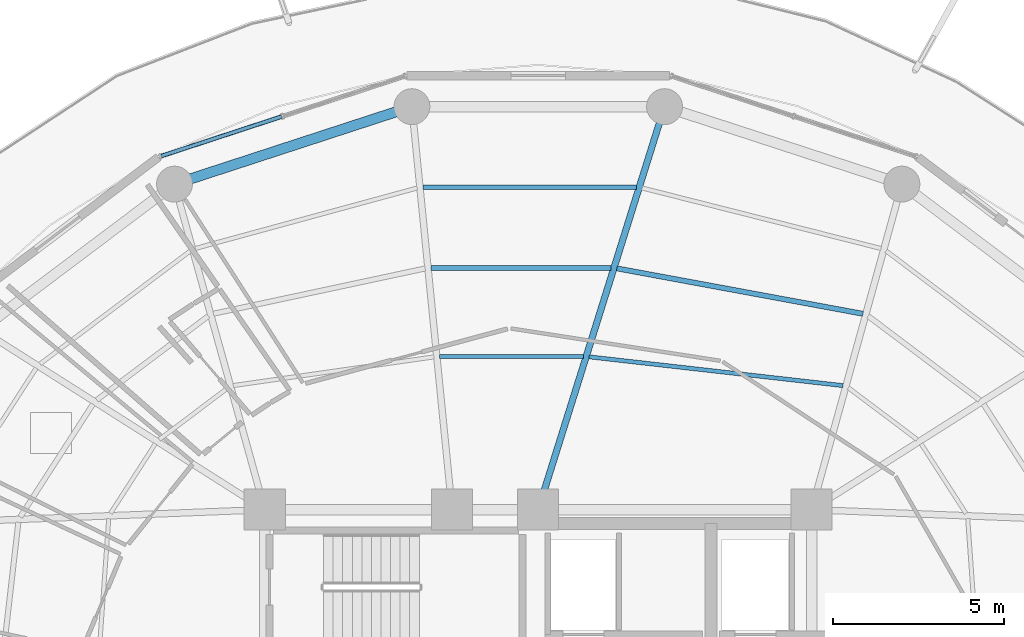
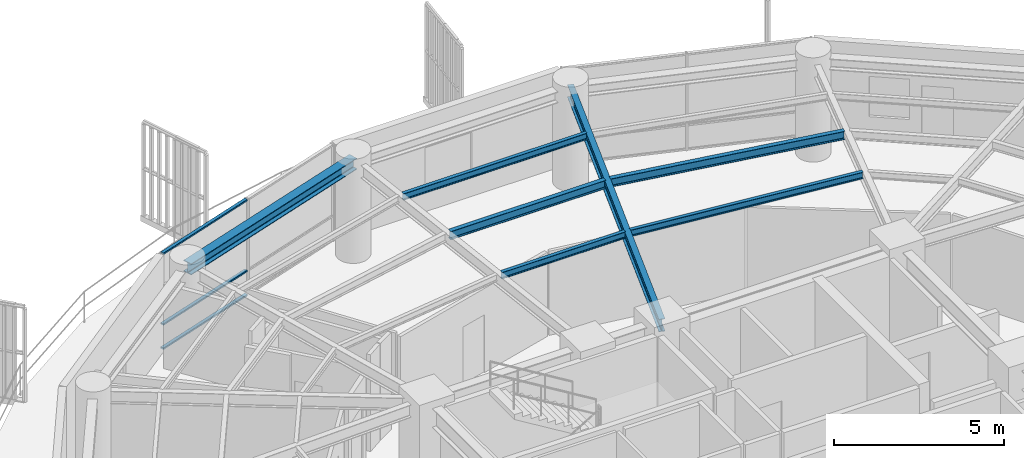
# One storey, part 19 of 31: 7 beams, 3 members, 1 element without a shape of its own.
"""IFC4 building model written with IfcOpenShell, lengths in metres."""

from ifc_helpers import new_model, si_unit, direction, frame, origin, origin_2d, place, context, subcontext, project, spatial, hollow_rectangle, i_section, extrude, material, layer, layer_set, material_profile, profile_set, type_object, element, aggregate, save


model = new_model("IFC4")

# Units and contexts
model_context = context("Model", 3, precision=1e-05, world=origin(), true_north=direction((0.0, 1.0)))
body_context = subcontext(model_context, "Body", "Model", "MODEL_VIEW")
ifc_project = project(units=[si_unit("LENGTHUNIT", "METRE"), si_unit("AREAUNIT", "SQUARE_METRE"), si_unit("VOLUMEUNIT", "CUBIC_METRE"), si_unit("PLANEANGLEUNIT", "RADIAN"), si_unit("MASSUNIT", "GRAM", prefix="KILO")], contexts=[model_context])

# Site, building, storey
site_placement = place(None, origin())
site = spatial("IfcSite", under=ifc_project, at=site_placement, CompositionType="ELEMENT")
building_placement = place(site_placement, origin())
building = spatial("IfcBuilding", under=site, at=building_placement, Name="Kelanora Arch Commons", CompositionType="ELEMENT")
storey_placement = place(building_placement, frame((0.0, 0.0, 200.699951171875)))
storey = spatial("IfcBuildingStorey", under=building, at=storey_placement, Name="L51", CompositionType="ELEMENT", Elevation=200.699951171875)

# Beams
ifc_material_1 = material(Name="Steel S355", Category="steel")
ifc_material_profile_1 = material_profile(ifc_material_1, i_section(OverallWidth=0.14990234375, OverallDepth=0.300048828125, WebThickness=0.007080078125, FlangeThickness=0.0107421875, FilletRadius=0.014892578125, at=origin_2d()), Name="IPE300")
ifc_profile_set_1 = profile_set([ifc_material_profile_1], Name="Steel S355")
beam_type_1 = type_object("IfcBeamType", Name="BM-JST-01", PredefinedType="JOIST", material=ifc_profile_set_1)
beam_1_placement = place(storey_placement, frame((83.50048828125, 70.729736328125, 3.340087890625), z_axis=(-0.983389964671, 0.181505309519, 0.0), x_axis=(-0.181505309519, -0.983389964671, 0.0)))
element("IfcBeam", 1, at=beam_1_placement, inside=storey, type_object=beam_type_1, Name="Secondary Chord Joist BJB-06 L51", PredefinedType="JOIST", context=body_context, shape_type="SweptSolid", body=[
    extrude(i_section(OverallWidth=0.14990234375, OverallDepth=0.300048828125, WebThickness=0.007080078125, FlangeThickness=0.0107421875, FilletRadius=0.014892578125, at=origin_2d()), origin(), (0.0, 0.0, 1.0), 7.3212890625),
])
beam_2_placement = place(storey_placement, frame((76.132080078125, 72.07421875, 3.340087890625), z_axis=(-1.0, 0.0, 0.0), x_axis=(0.0, -1.0, 0.0)))
element("IfcBeam", 2, at=beam_2_placement, inside=storey, type_object=beam_type_1, Name="Secondary Chord Joist BJB-08 L51", PredefinedType="JOIST", context=body_context, shape_type="SweptSolid", body=[
    extrude(i_section(OverallWidth=0.14990234375, OverallDepth=0.300048828125, WebThickness=0.007080078125, FlangeThickness=0.0107421875, FilletRadius=0.014892578125, at=origin_2d()), origin(), (0.0, 0.0, 1.0), 5.272216796875),
])
ifc_material_profile_2 = material_profile(ifc_material_1, i_section(OverallWidth=0.1201171875, OverallDepth=0.239990234375, WebThickness=0.006103515625, FlangeThickness=0.009765625, FilletRadius=0.014892578125, at=origin_2d()), Name="IPE240")
ifc_profile_set_2 = profile_set([ifc_material_profile_2], Name="Steel S355")
beam_type_2 = type_object("IfcBeamType", Name="BM-JST-02", PredefinedType="JOIST", material=ifc_profile_set_2)
beam_3_placement = place(storey_placement, frame((82.918701171875, 68.628662109375, 3.3701171875), z_axis=(-0.993639672263, 0.11260640171, 0.0), x_axis=(-0.11260640171, -0.993639672263, 0.0)))
element("IfcBeam", 3, at=beam_3_placement, inside=storey, type_object=beam_type_2, Name="Secondary Chord Joist BJA-06 L51", PredefinedType="JOIST", context=body_context, shape_type="SweptSolid", body=[
    extrude(i_section(OverallWidth=0.1201171875, OverallDepth=0.239990234375, WebThickness=0.006103515625, FlangeThickness=0.009765625, FilletRadius=0.014892578125, at=origin_2d()), origin(), (0.0, 0.0, 1.0), 7.477783203125),
])
beam_4_placement = place(storey_placement, frame((75.319091796875, 69.480224609375, 3.3701171875), z_axis=(-1.0, 0.0, 0.0), x_axis=(0.0, -1.0, 0.0)))
element("IfcBeam", 4, at=beam_4_placement, inside=storey, type_object=beam_type_2, Name="Secondary Chord Joist BJA-08 L51", PredefinedType="JOIST", context=body_context, shape_type="SweptSolid", body=[
    extrude(i_section(OverallWidth=0.1201171875, OverallDepth=0.239990234375, WebThickness=0.006103515625, FlangeThickness=0.009765625, FilletRadius=0.014892578125, at=origin_2d()), origin(), (0.0, 0.0, 1.0), 4.20068359375),
])
beam_5_placement = place(storey_placement, frame((76.87109375, 74.43212890625, 3.3701171875), z_axis=(-1.0, 0.0, 0.0), x_axis=(0.0, -1.0, 0.0)))
element("IfcBeam", 5, at=beam_5_placement, inside=storey, type_object=beam_type_2, Name="Secondary Chord Joist BJC-08 L51", PredefinedType="JOIST", context=body_context, shape_type="SweptSolid", body=[
    extrude(i_section(OverallWidth=0.1201171875, OverallDepth=0.239990234375, WebThickness=0.006103515625, FlangeThickness=0.009765625, FilletRadius=0.014892578125, at=origin_2d()), origin(), (0.0, 0.0, 1.0), 6.246337890625),
])
ifc_material_profile_3 = material_profile(ifc_material_1, i_section(OverallWidth=0.18994140625, OverallDepth=0.449951171875, WebThickness=0.009521484375, FlangeThickness=0.0146484375, FilletRadius=0.02099609375, at=origin_2d()), Name="IPE450")
ifc_profile_set_3 = profile_set([ifc_material_profile_3], Name="Steel S355")
beam_type_3 = type_object("IfcBeamType", Name="BM-RAD-Z4", PredefinedType="BEAM", material=ifc_profile_set_3)
beam_6_placement = place(storey_placement, frame((74.0, 65.0, 3.26513671875), z_axis=(0.299080457492, 0.954227897279, 0.0), x_axis=(-0.954227897279, 0.299080457492, 0.0)))
element("IfcBeam", 6, at=beam_6_placement, inside=storey, type_object=beam_type_3, Name="Radial Floor Girder BR-08 L51", PredefinedType="BEAM", context=body_context, shape_type="SweptSolid", body=[
    extrude(i_section(OverallWidth=0.18994140625, OverallDepth=0.449951171875, WebThickness=0.009521484375, FlangeThickness=0.0146484375, FilletRadius=0.02099609375, at=origin_2d()), origin(), (0.0, 0.0, 1.0), 12.35546875),
])
ifc_material_profile_4 = material_profile(ifc_material_1, i_section(OverallWidth=0.300048828125, OverallDepth=0.39990234375, WebThickness=0.013427734375, FlangeThickness=0.02392578125, FilletRadius=0.027099609375, at=origin_2d()), Name="HEB400")
ifc_profile_set_4 = profile_set([ifc_material_profile_4], Name="Steel S355")
beam_type_4 = type_object("IfcBeamType", Name="BM-SPN-Z4", PredefinedType="SPANDREL", material=ifc_profile_set_4)
beam_7_placement = place(storey_placement, frame((70.3046875, 76.7900390625, 3.2900390625), z_axis=(-0.950656361143, -0.310245842872, 0.0), x_axis=(0.310245842872, -0.950656361143, 0.0)))
element("IfcBeam", 7, at=beam_7_placement, inside=storey, type_object=beam_type_4, Name="Perimeter Spandrel Beam BS-10 L51", PredefinedType="SPANDREL", context=body_context, shape_type="SweptSolid", body=[
    extrude(i_section(OverallWidth=0.300048828125, OverallDepth=0.39990234375, WebThickness=0.013427734375, FlangeThickness=0.02392578125, FilletRadius=0.027099609375, at=origin_2d()), origin(), (0.0, 0.0, 1.0), 7.304931640625),
])

# Curtain wall, members
ifc_material_2 = material(Name="Terracotta ceramic-fritted low-E glass and aluminium", Category="masonry")
ifc_layer = layer(ifc_material_2, 0.175048828125)
ifc_layer_set = layer_set([ifc_layer], Name="Terracotta ceramic-fritted low-E glass and aluminium")
curtain_wall_type = type_object("IfcCurtainWallType", Name="CW-SYS-02", PredefinedType="NOTDEFINED", material=ifc_layer_set)
curtain_wall_placement = place(storey_placement, origin())
curtain_wall = element("IfcCurtainWall", 8, at=curtain_wall_placement, inside=storey, type_object=curtain_wall_type, Name="Unitised Curtain Wall L51-B05", PredefinedType="NOTDEFINED")
ifc_material_3 = material(Name="Powder-coated aluminium terracotta", Category="masonry")
ifc_material_profile_5 = material_profile(ifc_material_3, hollow_rectangle(XDim=0.1201171875, YDim=0.06005859375, WallThickness=0.0048828125, InnerFilletRadius=0.0048828125, OuterFilletRadius=0.010009765625, at=origin_2d()), Name="CWT120x60")
ifc_profile_set_5 = profile_set([ifc_material_profile_5], Name="Powder-coated aluminium terracotta")
member_type = type_object("IfcMemberType", Name="CWT-STD", PredefinedType="USERDEFINED", material=ifc_profile_set_5)
member_1_placement = place(storey_placement, frame((66.493896484375, 76.4990234375, 0.030029296875), z_axis=(-0.950226025222, -0.311561392011, 0.0), x_axis=(0.311561392011, -0.950226025222, 0.0)))
member_1 = element("IfcMember", 9, at=member_1_placement, type_object=member_type, Name="CW-02 transom 2.1", ObjectType="TRANSOM", PredefinedType="USERDEFINED", context=body_context, shape_type="SweptSolid", body=[
    extrude(hollow_rectangle(XDim=0.1201171875, YDim=0.06005859375, WallThickness=0.0048828125, InnerFilletRadius=0.0048828125, OuterFilletRadius=0.010009765625, at=origin_2d()), origin(), (0.0, 0.0, 1.0), 3.707275390625),
])
member_2_placement = place(storey_placement, frame((66.493896484375, 76.4990234375, 0.900146484375), z_axis=(-0.950226025222, -0.311561392011, 0.0), x_axis=(0.311561392011, -0.950226025222, 0.0)))
member_2 = element("IfcMember", 10, at=member_2_placement, type_object=member_type, Name="CW-02 transom 2.2", ObjectType="TRANSOM", PredefinedType="USERDEFINED", context=body_context, shape_type="SweptSolid", body=[
    extrude(hollow_rectangle(XDim=0.1201171875, YDim=0.06005859375, WallThickness=0.0048828125, InnerFilletRadius=0.0048828125, OuterFilletRadius=0.010009765625, at=origin_2d()), origin(), (0.0, 0.0, 1.0), 3.707275390625),
])
member_3_placement = place(storey_placement, frame((66.493896484375, 76.4990234375, 3.445068359375), z_axis=(-0.950226025222, -0.311561392011, 0.0), x_axis=(0.311561392011, -0.950226025222, 0.0)))
member_3 = element("IfcMember", 11, at=member_3_placement, type_object=member_type, Name="CW-02 transom 2.3", ObjectType="TRANSOM", PredefinedType="USERDEFINED", context=body_context, shape_type="SweptSolid", body=[
    extrude(hollow_rectangle(XDim=0.1201171875, YDim=0.06005859375, WallThickness=0.0048828125, InnerFilletRadius=0.0048828125, OuterFilletRadius=0.010009765625, at=origin_2d()), origin(), (0.0, 0.0, 1.0), 3.707275390625),
])
aggregate(curtain_wall, [member_1, member_2, member_3])

save(model, "model.ifc")
